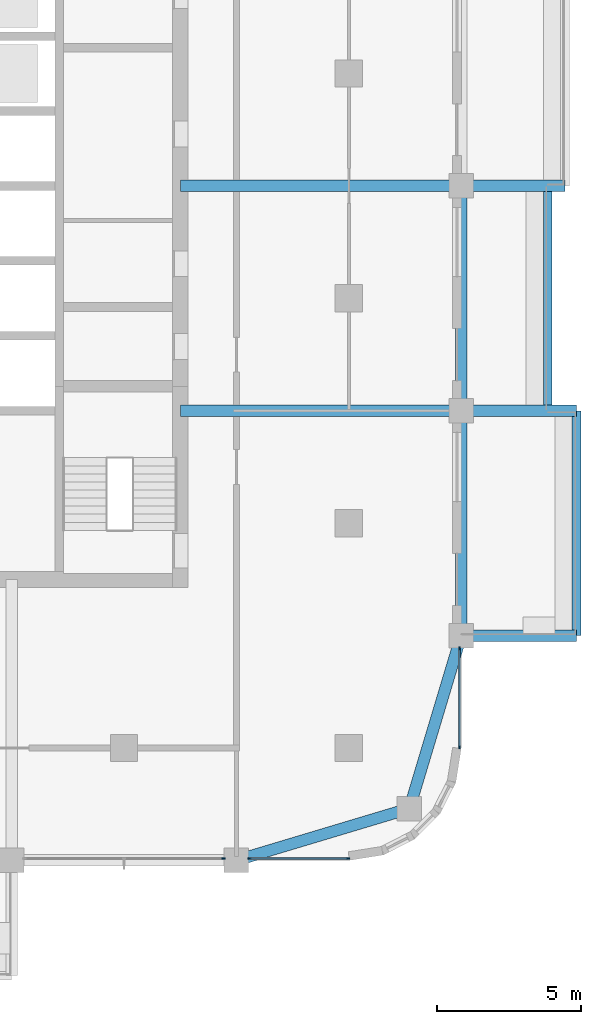
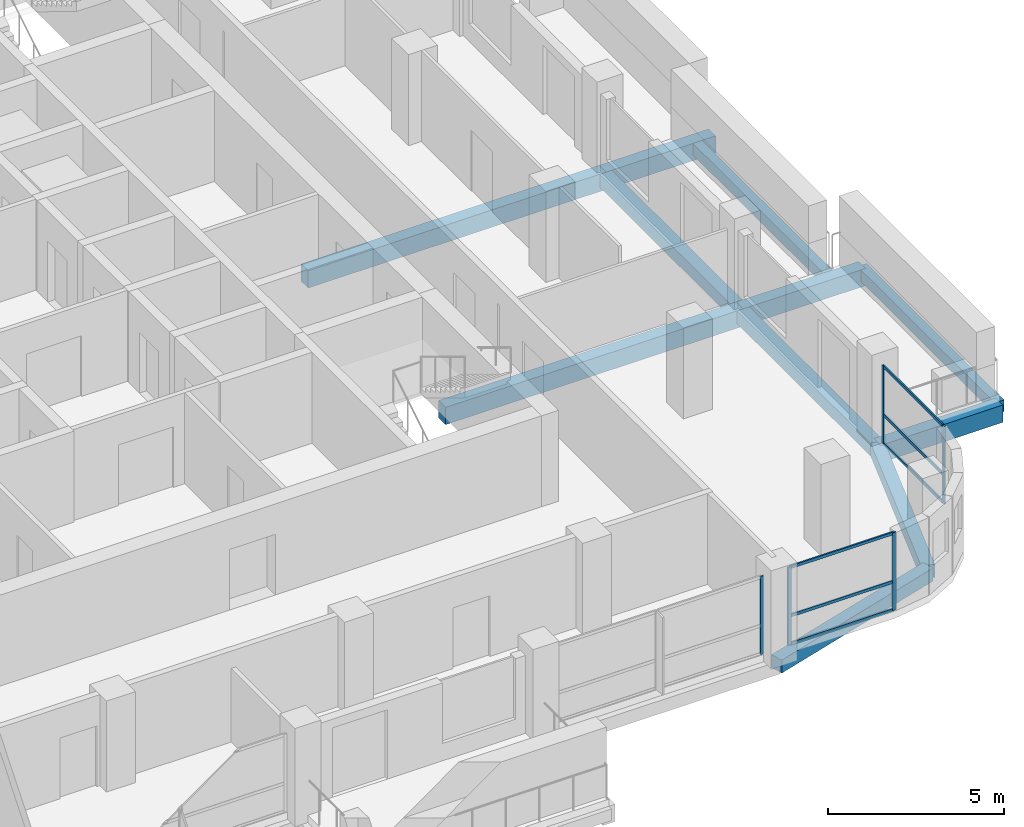
# One storey, part 5 of 19: 11 beams, 11 members, 3 elements without a shape of their own.
"""IFC4 building model written with IfcOpenShell, lengths in metres."""

import ifcopenshell
import ifcopenshell.guid

model = None  # the IFC model being written
_history = None  # IfcOwnerHistory: only IFC2X3 demands one
_inside = {}  # id of a spatial element -> (the spatial element, [elements in it])
_under = {}  # id of a project, library or spatial element -> (it, [spatial elements below it])
_declared = {}  # id of a project -> (the project, [libraries it declares])
_typed = {}  # id of a type object -> (the type object, [elements of that type])
_made_of = {}  # id of a material, layer set ... -> (it, [elements and type objects made of it])


def new_model(schema):
    """Start an empty IFC model of exactly this schema.

    Asked for "IFC4X3", IfcOpenShell would pick the latest addendum, in which some entities
    have other attributes; the version numbers below select the first issue.
    IFC2X3 requires an IfcOwnerHistory on every rooted entity: one is made here for all.
    """
    global model, _history
    if schema == "IFC4X3":
        model = ifcopenshell.file(schema_version=(4, 3, 0, 0))
    else:
        model = ifcopenshell.file(schema=schema)
    _inside.clear()
    _under.clear()
    _declared.clear()
    _typed.clear()
    _made_of.clear()
    _history = None
    if model.schema == "IFC2X3":
        org = make("IfcOrganization", Name="unknown")
        user = make(
            "IfcPersonAndOrganization",
            ThePerson=make("IfcPerson", FamilyName="unknown"),
            TheOrganization=org,
        )
        app = make(
            "IfcApplication",
            ApplicationDeveloper=org,
            Version="unknown",
            ApplicationFullName="unknown",
            ApplicationIdentifier="unknown",
        )
        _history = make(
            "IfcOwnerHistory",
            OwningUser=user,
            OwningApplication=app,
            ChangeAction="ADDED",
            CreationDate=0,
        )
    return model


def make(cls, **values):
    """One entity of the class cls with the attributes given. An attribute that is None is left unset."""
    return model.create_entity(
        cls, **{name: value for name, value in values.items() if value is not None}
    )


def rooted(cls, **values):
    """An entity with a GlobalId (a new one), such as an element, a storey or a relation."""
    return make(cls, GlobalId=ifcopenshell.guid.new(), OwnerHistory=_history, **values)


def si_unit(unit_type, name, prefix=None):
    """IfcSIUnit, for example si_unit("LENGTHUNIT", "METRE", prefix="MILLI")."""
    return make("IfcSIUnit", UnitType=unit_type, Prefix=prefix, Name=name)


def assignment(units):
    """IfcUnitAssignment: the units of a project."""
    return None if units is None else make("IfcUnitAssignment", Units=units)


def point(xyz):
    """IfcCartesianPoint."""
    return None if xyz is None else make("IfcCartesianPoint", Coordinates=xyz)


def direction(xyz):
    """IfcDirection."""
    return None if xyz is None else make("IfcDirection", DirectionRatios=xyz)


def frame(location, z_axis=None, x_axis=None):
    """IfcAxis2Placement3D, a coordinate frame: its origin and axes. An axis left out is left unset."""
    return make(
        "IfcAxis2Placement3D",
        Location=point(location),
        Axis=direction(z_axis),
        RefDirection=direction(x_axis),
    )


def frame_2d(location, x_axis=None):
    """IfcAxis2Placement2D, a coordinate frame in the plane: its origin and x axis."""
    return make(
        "IfcAxis2Placement2D", Location=point(location), RefDirection=direction(x_axis)
    )


def origin():
    """The frame at (0, 0, 0) with its axes left unset."""
    return frame((0.0, 0.0, 0.0))


def origin_2d():
    """The frame at (0, 0) in the plane with its x axis left unset."""
    return frame_2d((0.0, 0.0))


def place(relative_to, where):
    """IfcLocalPlacement: puts the frame where relative to a parent placement (None: the world)."""
    return make(
        "IfcLocalPlacement", PlacementRelTo=relative_to, RelativePlacement=where
    )


def context(
    kind, dimensions, precision=None, world=None, true_north=None, identifier=None
):
    """IfcGeometricRepresentationContext, for example the 3D "Model" context."""
    return make(
        "IfcGeometricRepresentationContext",
        ContextIdentifier=identifier,
        ContextType=kind,
        CoordinateSpaceDimension=dimensions,
        Precision=precision,
        WorldCoordinateSystem=world,
        TrueNorth=true_north,
    )


def subcontext(parent, identifier, kind, view, scale=None):
    """IfcGeometricRepresentationSubContext, for example "Body" below "Model"."""
    return make(
        "IfcGeometricRepresentationSubContext",
        ContextIdentifier=identifier,
        ContextType=kind,
        ParentContext=parent,
        TargetScale=scale,
        TargetView=view,
    )


def project(units=None, contexts=None):
    """IfcProject with its units and contexts."""
    return rooted(
        "IfcProject",
        Name="project",
        RepresentationContexts=contexts,
        UnitsInContext=assignment(units),
    )


def spatial(cls, under=None, at=None, **own):
    """A site, building, storey or space (cls), placed at a placement, below another one or the project."""
    s = rooted(cls, ObjectPlacement=at, **own)
    if under is not None:
        _under.setdefault(under.id(), (under, []))[1].append(s)
    return s


def profile(cls, at=None, kind="AREA", **sizes):
    """A parametric profile (cls). Its sizes go by their IFC names, for example OverallWidth=200.0."""
    return make(cls, ProfileType=kind, Position=at, **sizes)


def rectangle(**sizes):
    """IfcRectangleProfileDef."""
    return profile("IfcRectangleProfileDef", **sizes)


def extrude(swept, where, along, depth):
    """IfcExtrudedAreaSolid: the profile swept, set in the frame where, extruded along a direction by depth."""
    return make(
        "IfcExtrudedAreaSolid",
        SweptArea=swept,
        Position=where,
        ExtrudedDirection=direction(along),
        Depth=depth,
    )


def shape(context_of_items, identifier, shape_type, items):
    """IfcShapeRepresentation: the items that make up one representation, for example the "Body"."""
    return make(
        "IfcShapeRepresentation",
        ContextOfItems=context_of_items,
        RepresentationIdentifier=identifier,
        RepresentationType=shape_type,
        Items=items,
    )


def material(Name=None, Category=None):
    """IfcMaterial."""
    return make("IfcMaterial", Name=Name, Category=Category)


def material_profile(
    of_material, cross_section, Name=None, Category=None, Priority=None
):
    """IfcMaterialProfile: a cross section and its material."""
    return make(
        "IfcMaterialProfile",
        Name=Name,
        Material=of_material,
        Profile=cross_section,
        Priority=Priority,
        Category=Category,
    )


def profile_set(profiles, Name=None, composite=None):
    """IfcMaterialProfileSet."""
    return make(
        "IfcMaterialProfileSet",
        Name=Name,
        MaterialProfiles=profiles,
        CompositeProfile=composite,
    )


def made_of(thing, what):
    """Note that an element or type object is made of a material, layer set ...; save() writes the relation."""
    if what is not None:
        _made_of.setdefault(what.id(), (what, []))[1].append(thing)
    return thing


def type_object(cls, material=None, **own):
    """A type object (cls), such as IfcWallType, which elements share."""
    return made_of(rooted(cls, **own), material)


def element(
    cls,
    number,
    at=None,
    inside=None,
    cuts=None,
    type_object=None,
    material=None,
    context=None,
    identifier="Body",
    shape_type=None,
    held_by="IfcProductDefinitionShape",
    body=None,
    shapes=None,
    **own,
):
    """One element of the class cls, such as IfcWall. Its Tag is "e" and its number.

    at: its placement. inside: the storey or other place that contains it. cuts: it is an
    opening in that element (IfcRelVoidsElement). A single representation is given by context,
    identifier, shape_type and body (its items); several are given by shapes. held_by: the class
    of the entity that holds the representations. save() writes the other relations.
    """
    e = rooted(cls, Tag="e%d" % number, ObjectPlacement=at, **own)
    if body is not None:
        shapes = [shape(context, identifier, shape_type, body)]
    if shapes is not None:
        e.Representation = make(held_by, Representations=shapes)
    if inside is not None:
        _inside.setdefault(inside.id(), (inside, []))[1].append(e)
    if cuts is not None:
        rooted(
            "IfcRelVoidsElement", RelatingBuildingElement=cuts, RelatedOpeningElement=e
        )
    if type_object is not None:
        _typed.setdefault(type_object.id(), (type_object, []))[1].append(e)
    return made_of(e, material)


def aggregate(whole, parts):
    """IfcRelAggregates: a whole, such as a stair, and the parts it consists of."""
    return rooted("IfcRelAggregates", RelatingObject=whole, RelatedObjects=parts)


def save(model, path):
    """Write the relations noted so far, then the file.

    IfcRelAggregates (storeys below a building ...), IfcRelContainedInSpatialStructure (elements
    in a storey), IfcRelDefinesByType, IfcRelAssociatesMaterial and IfcRelDeclares: one each for
    every whole, place, type object, material and project.
    """
    for whole, parts in _under.values():
        aggregate(whole, parts)
    for where, things in _inside.values():
        rooted(
            "IfcRelContainedInSpatialStructure",
            RelatedElements=things,
            RelatingStructure=where,
        )
    for kind, things in _typed.values():
        rooted("IfcRelDefinesByType", RelatedObjects=things, RelatingType=kind)
    for what, things in _made_of.values():
        rooted("IfcRelAssociatesMaterial", RelatedObjects=things, RelatingMaterial=what)
    for by, libraries in _declared.values():
        rooted("IfcRelDeclares", RelatingContext=by, RelatedDefinitions=libraries)
    model.write(path)


model = new_model("IFC4")

# Units and contexts
model_context = context("Model", 3, precision=1e-05, world=origin(), true_north=direction((0.0, 1.0)))
body_context = subcontext(model_context, "Body", "Model", "MODEL_VIEW")
ifc_project = project(units=[si_unit("LENGTHUNIT", "METRE"), si_unit("AREAUNIT", "SQUARE_METRE"), si_unit("VOLUMEUNIT", "CUBIC_METRE"), si_unit("PLANEANGLEUNIT", "RADIAN"), si_unit("MASSUNIT", "GRAM", prefix="KILO")], contexts=[model_context])

# Site, building, storey
site_placement = place(None, origin())
site = spatial("IfcSite", under=ifc_project, at=site_placement, CompositionType="ELEMENT")
building_placement = place(site_placement, origin())
building = spatial("IfcBuilding", under=site, at=building_placement, Name="Ludao Terraces", CompositionType="ELEMENT")
storey_placement = place(building_placement, frame((0.0, 0.0, 133.89990234375)))
storey = spatial("IfcBuildingStorey", under=building, at=storey_placement, Name="L36", CompositionType="ELEMENT", Elevation=133.89990234375)

# Curtain wall, member
ifc_material_1 = material(Name="Aluminium curtain wall with fritted glass", Category="aluminium")
curtain_wall_type = type_object("IfcCurtainWallType", Name="ENV CW3 community glazing", PredefinedType="NOTDEFINED", material=ifc_material_1)
curtain_wall_1_placement = place(storey_placement, origin())
curtain_wall_1 = element("IfcCurtainWall", 1, at=curtain_wall_1_placement, inside=storey, type_object=curtain_wall_type, Name="Community floor glazing L36 S4", PredefinedType="NOTDEFINED")
ifc_material_2 = material(Name="Aluminium 6063-T6", Category="aluminium")
ifc_material_profile_1 = material_profile(ifc_material_2, rectangle(XDim=0.050048828125, YDim=0.1201171875, at=origin_2d()), Name="50 X 120")
ifc_profile_set_1 = profile_set([ifc_material_profile_1], Name="Aluminium 6063-T6")
member_type_1 = type_object("IfcMemberType", Name="ENV CW3 mullion 50x120", PredefinedType="MULLION", material=ifc_profile_set_1)
member_1_placement = place(storey_placement, frame((96.25, 45.56005859375, 0.0), z_axis=(0.0, 0.0, 1.0), x_axis=(0.0, 1.0, 0.0)))
member_1 = element("IfcMember", 2, at=member_1_placement, type_object=member_type_1, Name="CW3 mullion 3", PredefinedType="MULLION", context=body_context, shape_type="SweptSolid", body=[
    extrude(rectangle(XDim=0.050048828125, YDim=0.1201171875, at=origin_2d()), origin(), (0.0, 0.0, 1.0), 2.7001953125),
])
aggregate(curtain_wall_1, [member_1])

# Curtain wall, members
curtain_wall_2_placement = place(storey_placement, origin())
curtain_wall_2 = element("IfcCurtainWall", 3, at=curtain_wall_2_placement, inside=storey, type_object=curtain_wall_type, Name="Community floor glazing L36 S5", PredefinedType="NOTDEFINED")
member_2_placement = place(storey_placement, frame((97.14990234375, 45.56005859375, 0.0), z_axis=(0.0, 0.0, 1.0), x_axis=(0.0, 1.0, 0.0)))
member_2 = element("IfcMember", 4, at=member_2_placement, type_object=member_type_1, Name="CW3 mullion 1", PredefinedType="MULLION", context=body_context, shape_type="SweptSolid", body=[
    extrude(rectangle(XDim=0.050048828125, YDim=0.1201171875, at=origin_2d()), origin(), (0.0, 0.0, 1.0), 2.7001953125),
])
member_3_placement = place(storey_placement, frame((100.574951171875, 45.56005859375, 0.0), z_axis=(0.0, 0.0, 1.0), x_axis=(0.0, 1.0, 0.0)))
member_3 = element("IfcMember", 5, at=member_3_placement, type_object=member_type_1, Name="CW3 mullion 2", PredefinedType="MULLION", context=body_context, shape_type="SweptSolid", body=[
    extrude(rectangle(XDim=0.050048828125, YDim=0.1201171875, at=origin_2d()), origin(), (0.0, 0.0, 1.0), 2.7001953125),
])

curtain_wall_3_placement = place(storey_placement, origin())
curtain_wall_3 = element("IfcCurtainWall", 6, at=curtain_wall_3_placement, inside=storey, type_object=curtain_wall_type, Name="Community floor glazing L36 E1", PredefinedType="NOTDEFINED")
member_4_placement = place(storey_placement, frame((104.43994140625, 49.425048828125, 0.0), z_axis=(0.0, 0.0, 1.0), x_axis=(-1.0, 0.0, 0.0)))
member_4 = element("IfcMember", 7, at=member_4_placement, type_object=member_type_1, Name="CW3 mullion 1", PredefinedType="MULLION", context=body_context, shape_type="SweptSolid", body=[
    extrude(rectangle(XDim=0.050048828125, YDim=0.1201171875, at=origin_2d()), origin(), (0.0, 0.0, 1.0), 2.7001953125),
])
member_5_placement = place(storey_placement, frame((104.43994140625, 52.85009765625, 0.0), z_axis=(0.0, 0.0, 1.0), x_axis=(-1.0, 0.0, 0.0)))
member_5 = element("IfcMember", 8, at=member_5_placement, type_object=member_type_1, Name="CW3 mullion 2", PredefinedType="MULLION", context=body_context, shape_type="SweptSolid", body=[
    extrude(rectangle(XDim=0.050048828125, YDim=0.1201171875, at=origin_2d()), origin(), (0.0, 0.0, 1.0), 2.7001953125),
])

# Member
ifc_material_profile_2 = material_profile(ifc_material_2, rectangle(XDim=0.050048828125, YDim=0.10009765625, at=origin_2d()), Name="50 X 100")
ifc_profile_set_2 = profile_set([ifc_material_profile_2], Name="Aluminium 6063-T6")
member_type_2 = type_object("IfcMemberType", Name="ENV CW3 transom 50x100", PredefinedType="USERDEFINED", material=ifc_profile_set_2)
member_6_placement = place(storey_placement, frame((97.175048828125, 45.56005859375, 0.025146484375), z_axis=(1.0, 0.0, 0.0), x_axis=(0.0, 1.0, 0.0)))
member_6 = element("IfcMember", 9, at=member_6_placement, type_object=member_type_2, Name="CW3 transom 1.1", ObjectType="TRANSOM", PredefinedType="USERDEFINED", context=body_context, shape_type="SweptSolid", body=[
    extrude(rectangle(XDim=0.050048828125, YDim=0.10009765625, at=origin_2d()), origin(), (0.0, 0.0, 1.0), 3.375),
])

member_7_placement = place(storey_placement, frame((97.175048828125, 45.56005859375, 1.0), z_axis=(1.0, 0.0, 0.0), x_axis=(0.0, 1.0, 0.0)))
member_7 = element("IfcMember", 10, at=member_7_placement, type_object=member_type_2, Name="CW3 transom 1.2", ObjectType="TRANSOM", PredefinedType="USERDEFINED", context=body_context, shape_type="SweptSolid", body=[
    extrude(rectangle(XDim=0.050048828125, YDim=0.10009765625, at=origin_2d()), origin(), (0.0, 0.0, 1.0), 3.375),
])

member_8_placement = place(storey_placement, frame((97.175048828125, 45.56005859375, 2.675048828125), z_axis=(1.0, 0.0, 0.0), x_axis=(0.0, 1.0, 0.0)))
member_8 = element("IfcMember", 11, at=member_8_placement, type_object=member_type_2, Name="CW3 transom 1.3", ObjectType="TRANSOM", PredefinedType="USERDEFINED", context=body_context, shape_type="SweptSolid", body=[
    extrude(rectangle(XDim=0.050048828125, YDim=0.10009765625, at=origin_2d()), origin(), (0.0, 0.0, 1.0), 3.375),
])

aggregate(curtain_wall_2, [member_2, member_3, member_6, member_7, member_8])

member_9_placement = place(storey_placement, frame((104.43994140625, 49.449951171875, 0.025146484375), z_axis=(0.0, 1.0, 0.0), x_axis=(-1.0, 0.0, 0.0)))
member_9 = element("IfcMember", 12, at=member_9_placement, type_object=member_type_2, Name="CW3 transom 1.1", ObjectType="TRANSOM", PredefinedType="USERDEFINED", context=body_context, shape_type="SweptSolid", body=[
    extrude(rectangle(XDim=0.050048828125, YDim=0.10009765625, at=origin_2d()), origin(), (0.0, 0.0, 1.0), 3.375),
])

member_10_placement = place(storey_placement, frame((104.43994140625, 49.449951171875, 1.0), z_axis=(0.0, 1.0, 0.0), x_axis=(-1.0, 0.0, 0.0)))
member_10 = element("IfcMember", 13, at=member_10_placement, type_object=member_type_2, Name="CW3 transom 1.2", ObjectType="TRANSOM", PredefinedType="USERDEFINED", context=body_context, shape_type="SweptSolid", body=[
    extrude(rectangle(XDim=0.050048828125, YDim=0.10009765625, at=origin_2d()), origin(), (0.0, 0.0, 1.0), 3.375),
])

member_11_placement = place(storey_placement, frame((104.43994140625, 49.449951171875, 2.675048828125), z_axis=(0.0, 1.0, 0.0), x_axis=(-1.0, 0.0, 0.0)))
member_11 = element("IfcMember", 14, at=member_11_placement, type_object=member_type_2, Name="CW3 transom 1.3", ObjectType="TRANSOM", PredefinedType="USERDEFINED", context=body_context, shape_type="SweptSolid", body=[
    extrude(rectangle(XDim=0.050048828125, YDim=0.10009765625, at=origin_2d()), origin(), (0.0, 0.0, 1.0), 3.375),
])

aggregate(curtain_wall_3, [member_4, member_5, member_9, member_10, member_11])

# Beams
ifc_material_3 = material(Name="Concrete C40", Category="concrete")
ifc_material_profile_3 = material_profile(ifc_material_3, rectangle(XDim=0.300048828125, YDim=0.39990234375, at=origin_2d()), Name="300 X 400")
ifc_profile_set_3 = profile_set([ifc_material_profile_3], Name="Concrete C40")
beam_type_1 = type_object("IfcBeamType", Name="RC beam 300x400 C40", PredefinedType="BEAM", material=ifc_profile_set_3)
beam_1_placement = place(storey_placement, frame((108.5, 53.300048828125, -0.449951171875), z_axis=(0.0, 1.0, 0.0), x_axis=(-1.0, 0.0, 0.0)))
element("IfcBeam", 15, at=beam_1_placement, inside=storey, type_object=beam_type_1, Name="Balcony edge beam L36 E1", PredefinedType="BEAM", context=body_context, shape_type="SweptSolid", body=[
    extrude(rectangle(XDim=0.300048828125, YDim=0.39990234375, at=origin_2d()), origin(), (0.0, 0.0, 1.0), 7.800048828125),
])
beam_2_placement = place(storey_placement, frame((107.5, 61.10009765625, -0.449951171875), z_axis=(0.0, 1.0, 0.0), x_axis=(-1.0, 0.0, 0.0)))
element("IfcBeam", 16, at=beam_2_placement, inside=storey, type_object=beam_type_1, Name="Balcony edge beam L36 E2", PredefinedType="BEAM", context=body_context, shape_type="SweptSolid", body=[
    extrude(rectangle(XDim=0.300048828125, YDim=0.39990234375, at=origin_2d()), origin(), (0.0, 0.0, 1.0), 7.7998046875),
])
ifc_material_profile_4 = material_profile(ifc_material_3, rectangle(XDim=0.39990234375, YDim=0.449951171875, at=origin_2d()), Name="400 X 450")
ifc_profile_set_4 = profile_set([ifc_material_profile_4], Name="Concrete C40")
beam_type_2 = type_object("IfcBeamType", Name="RC beam 400x450 C40", PredefinedType="BEAM", material=ifc_profile_set_4)
for number, where, z_axis, x_axis, name in (
    (17, (96.699951171875, 45.5, -0.474853515625), (0.957824139839, 0.287355036744, 0.0), (-0.287355036744, 0.957824139839, 0.0), "Spandrel beam L36 S5"),
    (18, (102.699951171875, 47.300048828125, -0.474853515625), (0.287355036744, 0.957824139839, 0.0), (-0.957824139839, 0.287355036744, 0.0), "Spandrel beam L36 E13"),
):
    element("IfcBeam", number, at=place(storey_placement, frame(where, z_axis=z_axis, x_axis=x_axis)), inside=storey, type_object=beam_type_2, Name=name, PredefinedType="BEAM", context=body_context, shape_type="SweptSolid", body=[
        extrude(rectangle(XDim=0.39990234375, YDim=0.449951171875, at=origin_2d()), origin(), (0.0, 0.0, 1.0), 6.26416015625),
    ])
beam_3_placement = place(storey_placement, frame((104.5, 53.300048828125, -0.474853515625), z_axis=(0.0, 1.0, 0.0), x_axis=(-1.0, 0.0, 0.0)))
element("IfcBeam", 19, at=beam_3_placement, inside=storey, type_object=beam_type_2, Name="Spandrel beam L36 E14", PredefinedType="BEAM", context=body_context, shape_type="SweptSolid", body=[
    extrude(rectangle(XDim=0.39990234375, YDim=0.449951171875, at=origin_2d()), origin(), (0.0, 0.0, 1.0), 7.800048828125),
])
beam_4_placement = place(storey_placement, frame((104.5, 61.10009765625, -0.474853515625), z_axis=(0.0, 1.0, 0.0), x_axis=(-1.0, 0.0, 0.0)))
element("IfcBeam", 20, at=beam_4_placement, inside=storey, type_object=beam_type_2, Name="Spandrel beam L36 E15", PredefinedType="BEAM", context=body_context, shape_type="SweptSolid", body=[
    extrude(rectangle(XDim=0.39990234375, YDim=0.449951171875, at=origin_2d()), origin(), (0.0, 0.0, 1.0), 7.7998046875),
])
ifc_material_profile_5 = material_profile(ifc_material_3, rectangle(XDim=0.39990234375, YDim=0.60009765625, at=origin_2d()), Name="400 X 600")
ifc_profile_set_5 = profile_set([ifc_material_profile_5], Name="Concrete C40")
beam_type_3 = type_object("IfcBeamType", Name="RC beam 400x600 C40", PredefinedType="BEAM", material=ifc_profile_set_5)
beam_5_placement = place(storey_placement, frame((104.5, 53.300048828125, -0.5498046875), z_axis=(1.0, 0.0, 0.0), x_axis=(0.0, 1.0, 0.0)))
element("IfcBeam", 21, at=beam_5_placement, inside=storey, type_object=beam_type_3, Name="Balcony beam L36 E533", PredefinedType="BEAM", context=body_context, shape_type="SweptSolid", body=[
    extrude(rectangle(XDim=0.39990234375, YDim=0.60009765625, at=origin_2d()), origin(), (0.0, 0.0, 1.0), 4.0),
])
beam_6_placement = place(storey_placement, frame((94.75, 61.10009765625, -0.5498046875), z_axis=(1.0, 0.0, 0.0), x_axis=(0.0, 1.0, 0.0)))
element("IfcBeam", 22, at=beam_6_placement, inside=storey, type_object=beam_type_3, Name="Balcony beam L36 E611", PredefinedType="BEAM", context=body_context, shape_type="SweptSolid", body=[
    extrude(rectangle(XDim=0.39990234375, YDim=0.60009765625, at=origin_2d()), origin(), (0.0, 0.0, 1.0), 9.75),
])
beam_7_placement = place(storey_placement, frame((104.5, 61.10009765625, -0.5498046875), z_axis=(1.0, 0.0, 0.0), x_axis=(0.0, 1.0, 0.0)))
element("IfcBeam", 23, at=beam_7_placement, inside=storey, type_object=beam_type_3, Name="Balcony beam L36 E611", PredefinedType="BEAM", context=body_context, shape_type="SweptSolid", body=[
    extrude(rectangle(XDim=0.39990234375, YDim=0.60009765625, at=origin_2d()), origin(), (0.0, 0.0, 1.0), 4.0),
])
beam_8_placement = place(storey_placement, frame((94.75, 68.89990234375, -0.5498046875), z_axis=(1.0, 0.0, 0.0), x_axis=(0.0, 1.0, 0.0)))
element("IfcBeam", 24, at=beam_8_placement, inside=storey, type_object=beam_type_3, Name="Balcony beam L36 E689", PredefinedType="BEAM", context=body_context, shape_type="SweptSolid", body=[
    extrude(rectangle(XDim=0.39990234375, YDim=0.60009765625, at=origin_2d()), origin(), (0.0, 0.0, 1.0), 9.75),
])
beam_9_placement = place(storey_placement, frame((104.5, 68.89990234375, -0.5498046875), z_axis=(1.0, 0.0, 0.0), x_axis=(0.0, 1.0, 0.0)))
element("IfcBeam", 25, at=beam_9_placement, inside=storey, type_object=beam_type_3, Name="Balcony beam L36 E689", PredefinedType="BEAM", context=body_context, shape_type="SweptSolid", body=[
    extrude(rectangle(XDim=0.39990234375, YDim=0.60009765625, at=origin_2d()), origin(), (0.0, 0.0, 1.0), 3.60009765625),
])

save(model, "model.ifc")
